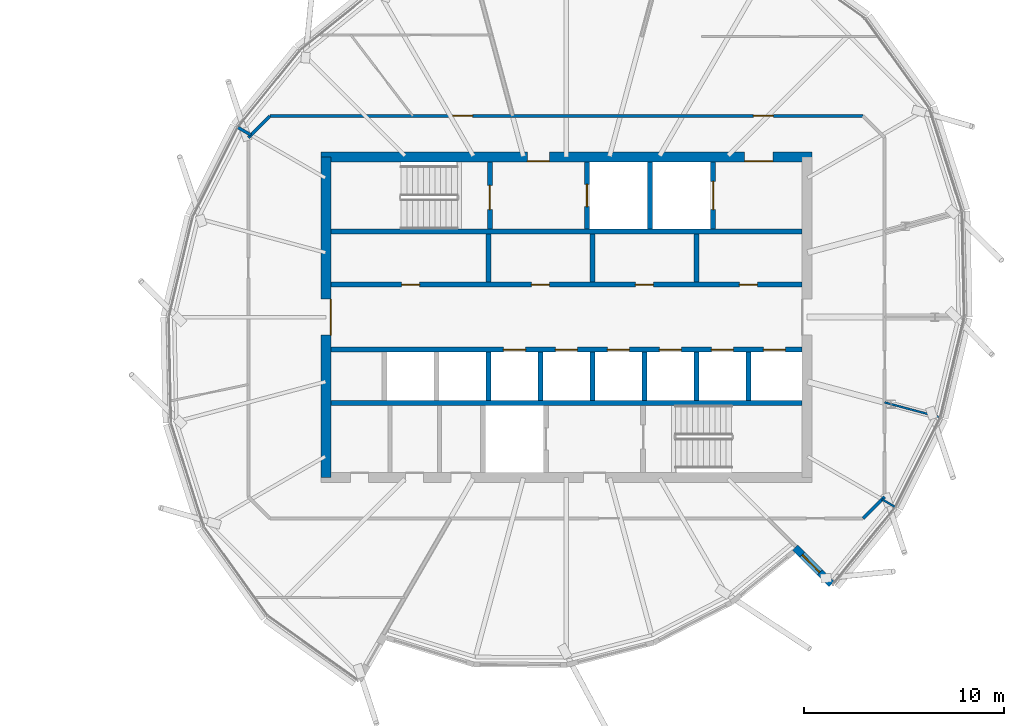
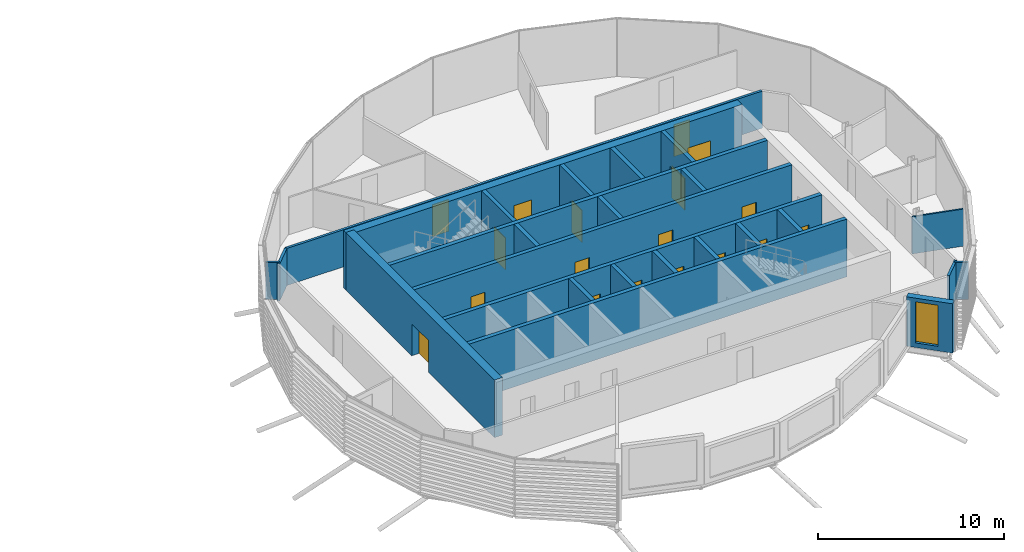
# One storey, part 21 of 38: 26 walls, 18 doors, 1 window, 19 openings.
"""IFC4 building model written with IfcOpenShell, lengths in metres."""

import ifcopenshell
import ifcopenshell.guid

model = None  # the IFC model being written
_history = None  # IfcOwnerHistory: only IFC2X3 demands one
_inside = {}  # id of a spatial element -> (the spatial element, [elements in it])
_under = {}  # id of a project, library or spatial element -> (it, [spatial elements below it])
_declared = {}  # id of a project -> (the project, [libraries it declares])
_typed = {}  # id of a type object -> (the type object, [elements of that type])
_made_of = {}  # id of a material, layer set ... -> (it, [elements and type objects made of it])


def new_model(schema):
    """Start an empty IFC model of exactly this schema.

    Asked for "IFC4X3", IfcOpenShell would pick the latest addendum, in which some entities
    have other attributes; the version numbers below select the first issue.
    IFC2X3 requires an IfcOwnerHistory on every rooted entity: one is made here for all.
    """
    global model, _history
    if schema == "IFC4X3":
        model = ifcopenshell.file(schema_version=(4, 3, 0, 0))
    else:
        model = ifcopenshell.file(schema=schema)
    _inside.clear()
    _under.clear()
    _declared.clear()
    _typed.clear()
    _made_of.clear()
    _history = None
    if model.schema == "IFC2X3":
        org = make("IfcOrganization", Name="unknown")
        user = make(
            "IfcPersonAndOrganization",
            ThePerson=make("IfcPerson", FamilyName="unknown"),
            TheOrganization=org,
        )
        app = make(
            "IfcApplication",
            ApplicationDeveloper=org,
            Version="unknown",
            ApplicationFullName="unknown",
            ApplicationIdentifier="unknown",
        )
        _history = make(
            "IfcOwnerHistory",
            OwningUser=user,
            OwningApplication=app,
            ChangeAction="ADDED",
            CreationDate=0,
        )
    return model


def make(cls, **values):
    """One entity of the class cls with the attributes given. An attribute that is None is left unset."""
    return model.create_entity(
        cls, **{name: value for name, value in values.items() if value is not None}
    )


def rooted(cls, **values):
    """An entity with a GlobalId (a new one), such as an element, a storey or a relation."""
    return make(cls, GlobalId=ifcopenshell.guid.new(), OwnerHistory=_history, **values)


def si_unit(unit_type, name, prefix=None):
    """IfcSIUnit, for example si_unit("LENGTHUNIT", "METRE", prefix="MILLI")."""
    return make("IfcSIUnit", UnitType=unit_type, Prefix=prefix, Name=name)


def assignment(units):
    """IfcUnitAssignment: the units of a project."""
    return None if units is None else make("IfcUnitAssignment", Units=units)


def point(xyz):
    """IfcCartesianPoint."""
    return None if xyz is None else make("IfcCartesianPoint", Coordinates=xyz)


def direction(xyz):
    """IfcDirection."""
    return None if xyz is None else make("IfcDirection", DirectionRatios=xyz)


def frame(location, z_axis=None, x_axis=None):
    """IfcAxis2Placement3D, a coordinate frame: its origin and axes. An axis left out is left unset."""
    return make(
        "IfcAxis2Placement3D",
        Location=point(location),
        Axis=direction(z_axis),
        RefDirection=direction(x_axis),
    )


def frame_2d(location, x_axis=None):
    """IfcAxis2Placement2D, a coordinate frame in the plane: its origin and x axis."""
    return make(
        "IfcAxis2Placement2D", Location=point(location), RefDirection=direction(x_axis)
    )


def origin():
    """The frame at (0, 0, 0) with its axes left unset."""
    return frame((0.0, 0.0, 0.0))


def place(relative_to, where):
    """IfcLocalPlacement: puts the frame where relative to a parent placement (None: the world)."""
    return make(
        "IfcLocalPlacement", PlacementRelTo=relative_to, RelativePlacement=where
    )


def context(
    kind, dimensions, precision=None, world=None, true_north=None, identifier=None
):
    """IfcGeometricRepresentationContext, for example the 3D "Model" context."""
    return make(
        "IfcGeometricRepresentationContext",
        ContextIdentifier=identifier,
        ContextType=kind,
        CoordinateSpaceDimension=dimensions,
        Precision=precision,
        WorldCoordinateSystem=world,
        TrueNorth=true_north,
    )


def subcontext(parent, identifier, kind, view, scale=None):
    """IfcGeometricRepresentationSubContext, for example "Body" below "Model"."""
    return make(
        "IfcGeometricRepresentationSubContext",
        ContextIdentifier=identifier,
        ContextType=kind,
        ParentContext=parent,
        TargetScale=scale,
        TargetView=view,
    )


def project(units=None, contexts=None):
    """IfcProject with its units and contexts."""
    return rooted(
        "IfcProject",
        Name="project",
        RepresentationContexts=contexts,
        UnitsInContext=assignment(units),
    )


def spatial(cls, under=None, at=None, **own):
    """A site, building, storey or space (cls), placed at a placement, below another one or the project."""
    s = rooted(cls, ObjectPlacement=at, **own)
    if under is not None:
        _under.setdefault(under.id(), (under, []))[1].append(s)
    return s


def profile(cls, at=None, kind="AREA", **sizes):
    """A parametric profile (cls). Its sizes go by their IFC names, for example OverallWidth=200.0."""
    return make(cls, ProfileType=kind, Position=at, **sizes)


def rectangle(**sizes):
    """IfcRectangleProfileDef."""
    return profile("IfcRectangleProfileDef", **sizes)


def extrude(swept, where, along, depth):
    """IfcExtrudedAreaSolid: the profile swept, set in the frame where, extruded along a direction by depth."""
    return make(
        "IfcExtrudedAreaSolid",
        SweptArea=swept,
        Position=where,
        ExtrudedDirection=direction(along),
        Depth=depth,
    )


def shape(context_of_items, identifier, shape_type, items):
    """IfcShapeRepresentation: the items that make up one representation, for example the "Body"."""
    return make(
        "IfcShapeRepresentation",
        ContextOfItems=context_of_items,
        RepresentationIdentifier=identifier,
        RepresentationType=shape_type,
        Items=items,
    )


def material(Name=None, Category=None):
    """IfcMaterial."""
    return make("IfcMaterial", Name=Name, Category=Category)


def layer(
    of_material, thickness, ventilated=None, Name=None, Category=None, Priority=None
):
    """IfcMaterialLayer: one layer of a wall or slab, of a material (None: an air gap)."""
    return make(
        "IfcMaterialLayer",
        Material=of_material,
        LayerThickness=thickness,
        IsVentilated=ventilated,
        Name=Name,
        Category=Category,
        Priority=Priority,
    )


def layer_set(layers, Name=None):
    """IfcMaterialLayerSet."""
    return make("IfcMaterialLayerSet", MaterialLayers=layers, LayerSetName=Name)


def made_of(thing, what):
    """Note that an element or type object is made of a material, layer set ...; save() writes the relation."""
    if what is not None:
        _made_of.setdefault(what.id(), (what, []))[1].append(thing)
    return thing


def type_object(cls, material=None, **own):
    """A type object (cls), such as IfcWallType, which elements share."""
    return made_of(rooted(cls, **own), material)


def element(
    cls,
    number,
    at=None,
    inside=None,
    cuts=None,
    type_object=None,
    material=None,
    context=None,
    identifier="Body",
    shape_type=None,
    held_by="IfcProductDefinitionShape",
    body=None,
    shapes=None,
    **own,
):
    """One element of the class cls, such as IfcWall. Its Tag is "e" and its number.

    at: its placement. inside: the storey or other place that contains it. cuts: it is an
    opening in that element (IfcRelVoidsElement). A single representation is given by context,
    identifier, shape_type and body (its items); several are given by shapes. held_by: the class
    of the entity that holds the representations. save() writes the other relations.
    """
    e = rooted(cls, Tag="e%d" % number, ObjectPlacement=at, **own)
    if body is not None:
        shapes = [shape(context, identifier, shape_type, body)]
    if shapes is not None:
        e.Representation = make(held_by, Representations=shapes)
    if inside is not None:
        _inside.setdefault(inside.id(), (inside, []))[1].append(e)
    if cuts is not None:
        rooted(
            "IfcRelVoidsElement", RelatingBuildingElement=cuts, RelatedOpeningElement=e
        )
    if type_object is not None:
        _typed.setdefault(type_object.id(), (type_object, []))[1].append(e)
    return made_of(e, material)


def fill(opening, filler):
    """IfcRelFillsElement: the door or window that sits in an opening."""
    return rooted(
        "IfcRelFillsElement",
        RelatingOpeningElement=opening,
        RelatedBuildingElement=filler,
    )


def aggregate(whole, parts):
    """IfcRelAggregates: a whole, such as a stair, and the parts it consists of."""
    return rooted("IfcRelAggregates", RelatingObject=whole, RelatedObjects=parts)


def save(model, path):
    """Write the relations noted so far, then the file.

    IfcRelAggregates (storeys below a building ...), IfcRelContainedInSpatialStructure (elements
    in a storey), IfcRelDefinesByType, IfcRelAssociatesMaterial and IfcRelDeclares: one each for
    every whole, place, type object, material and project.
    """
    for whole, parts in _under.values():
        aggregate(whole, parts)
    for where, things in _inside.values():
        rooted(
            "IfcRelContainedInSpatialStructure",
            RelatedElements=things,
            RelatingStructure=where,
        )
    for kind, things in _typed.values():
        rooted("IfcRelDefinesByType", RelatedObjects=things, RelatingType=kind)
    for what, things in _made_of.values():
        rooted("IfcRelAssociatesMaterial", RelatedObjects=things, RelatingMaterial=what)
    for by, libraries in _declared.values():
        rooted("IfcRelDeclares", RelatingContext=by, RelatedDefinitions=libraries)
    model.write(path)


model = new_model("IFC4")

# Units and contexts
model_context = context("Model", 3, precision=1e-05, world=origin(), true_north=direction((0.0, 1.0)))
body_context = subcontext(model_context, "Body", "Model", "MODEL_VIEW")
ifc_project = project(units=[si_unit("LENGTHUNIT", "METRE"), si_unit("AREAUNIT", "SQUARE_METRE"), si_unit("VOLUMEUNIT", "CUBIC_METRE"), si_unit("PLANEANGLEUNIT", "RADIAN"), si_unit("MASSUNIT", "GRAM", prefix="KILO")], contexts=[model_context])

# Site, building, storey
site_placement = place(None, origin())
site = spatial("IfcSite", under=ifc_project, at=site_placement, CompositionType="ELEMENT")
building_placement = place(site_placement, origin())
building = spatial("IfcBuilding", under=site, at=building_placement, Name="Rimbun Link Towers", CompositionType="ELEMENT")
storey_placement = place(building_placement, frame((0.0, 0.0, 218.10009765625)))
storey = spatial("IfcBuildingStorey", under=building, at=storey_placement, Name="L53", CompositionType="ELEMENT", Elevation=218.10009765625)

# Wall, opening, window
ifc_material_1 = material(Name="Dark enamelled glass spandrel on insulated aluminium backpan", Category="aluminium")
ifc_layer_1 = layer(ifc_material_1, 0.3701171875)
ifc_layer_set_1 = layer_set([ifc_layer_1], Name="CS dark enamelled spandrel wall 370")
wall_type_1 = type_object("IfcWallType", Name="CS dark enamelled spandrel wall 370", PredefinedType="STANDARD", material=ifc_layer_set_1)
wall_1_placement = place(storey_placement, frame((44.986083984375, -13.328125, 0.0), z_axis=(0.0, 0.0, 1.0), x_axis=(-0.707059465667, 0.70715409354, 0.0)))
wall_1 = element("IfcWall", 1, at=wall_1_placement, inside=storey, type_object=wall_type_1, Name="Crease spandrel wall", PredefinedType="STANDARD", context=body_context, shape_type="SweptSolid", body=[
    extrude(rectangle(XDim=2.580078125, YDim=0.3701171875, at=frame_2d((1.2900390625, 0.0))), origin(), (0.0, 0.0, 1.0), 3.243408203125),
])
opening_1_placement = place(wall_1_placement, frame((0.828857421875, 0.0, 0.300048828125)))
opening_1 = element("IfcOpeningElement", 2, at=opening_1_placement, cuts=wall_1, Name="Opening WR12H270", PredefinedType="OPENING", context=body_context, shape_type="SweptSolid", body=[
    extrude(rectangle(XDim=1.25, YDim=2.699951171875, at=frame_2d((0.625, 1.35009765625))), frame((0.0, 0.195068359375, 0.0), z_axis=(0.0, -1.0, 0.0), x_axis=(1.0, 0.0, 0.0)), (0.0, 0.0, 1.0), 0.39013671875),
])
ifc_material_2 = material(Name="Aluminium framed fixed window, dark tinted low-e glass", Category="aluminium")
window_type = type_object("IfcWindowType", Name="WR ribbon window 1250X2700", PartitioningType="SINGLE_PANEL", PredefinedType="WINDOW", material=ifc_material_2)
window_placement = place(opening_1_placement, origin())
window = element("IfcWindow", 3, at=window_placement, inside=storey, type_object=window_type, Name="Crease ribbon window", OverallHeight=2.699951171875, OverallWidth=1.25, PartitioningType="SINGLE_PANEL", PredefinedType="WINDOW", context=body_context, shape_type="SweptSolid", body=[
    extrude(rectangle(XDim=1.25, YDim=2.699951171875, at=frame_2d((0.625, 1.35009765625))), frame((0.0, 0.030029296875, 0.0), z_axis=(0.0, -1.0, 0.0), x_axis=(1.0, 0.0, 0.0)), (0.0, 0.0, 1.0), 0.06005859375),
])
fill(opening_1, window)

# Wall, openings, doors
ifc_material_3 = material(Name="Concrete C60/75", Category="concrete")
ifc_layer_2 = layer(ifc_material_3, 0.5)
ifc_layer_set_2 = layer_set([ifc_layer_2], Name="Core shear wall 500")
wall_type_2 = type_object("IfcWallType", Name="Core shear wall 500", PredefinedType="SHEAR", material=ifc_layer_set_2)
wall_2_placement = place(storey_placement, frame((19.5, 8.0, 0.0), z_axis=(0.0, 0.0, 1.0), x_axis=(1.0, 0.0, 0.0)))
wall_2 = element("IfcWall", 4, at=wall_2_placement, inside=storey, type_object=wall_type_2, Name="L53 T2 core wall N", PredefinedType="SHEAR", context=body_context, shape_type="SweptSolid", body=[
    extrude(rectangle(XDim=24.5, YDim=0.5, at=frame_2d((12.25, 0.0))), origin(), (0.0, 0.0, 1.0), 3.7998046875),
])
opening_2_placement = place(wall_2_placement, frame((10.300048828125, 0.0, 0.0)))
opening_2 = element("IfcOpeningElement", 5, at=opening_2_placement, cuts=wall_2, Name="Opening C2DCF01N", PredefinedType="OPENING", context=body_context, shape_type="SweptSolid", body=[
    extrude(rectangle(XDim=1.10009765625, YDim=2.10009765625, at=frame_2d((0.550048828125, 1.050048828125))), frame((0.0, 0.260009765625, 0.0), z_axis=(0.0, -1.0, 0.0), x_axis=(1.0, 0.0, 0.0)), (0.0, 0.0, 1.0), 0.52001953125),
])
opening_3_placement = place(wall_2_placement, frame((21.14990234375, 0.0, 0.0)))
opening_3 = element("IfcOpeningElement", 6, at=opening_3_placement, cuts=wall_2, Name="Opening C2DSL02N", PredefinedType="OPENING", context=body_context, shape_type="SweptSolid", body=[
    extrude(rectangle(XDim=1.39990234375, YDim=2.10009765625, at=frame_2d((0.699951171875, 1.050048828125))), frame((0.0, 0.260009765625, 0.0), z_axis=(0.0, -1.0, 0.0), x_axis=(1.0, 0.0, 0.0)), (0.0, 0.0, 1.0), 0.52001953125),
])
ifc_material_4 = material(Name="Steel fire door set", Category="steel")
door_type_1 = type_object("IfcDoorType", Name="Core fire door single", OperationType="SINGLE_SWING_LEFT", PredefinedType="DOOR", material=ifc_material_4)
door_1_placement = place(opening_2_placement, origin())
door_1 = element("IfcDoor", 7, at=door_1_placement, inside=storey, type_object=door_type_1, Name="L53 T2 firefighting lobby n door", OperationType="SINGLE_SWING_LEFT", OverallHeight=2.10009765625, OverallWidth=1.10009765625, PredefinedType="DOOR", context=body_context, shape_type="SweptSolid", body=[
    extrude(rectangle(XDim=1.10009765625, YDim=2.10009765625, at=frame_2d((0.550048828125, 1.050048828125))), frame((0.0, -0.2001953125, 0.0), z_axis=(0.0, -1.0, 0.0), x_axis=(1.0, 0.0, 0.0)), (0.0, 0.0, 1.0), 0.050048828125),
])
fill(opening_2, door_1)
ifc_material_5 = material(Name="Steel fire door set", Category="steel")
door_type_2 = type_object("IfcDoorType", Name="Service lobby door double", OperationType="DOUBLE_DOOR_SINGLE_SWING", PredefinedType="DOOR", material=ifc_material_5)
door_2_placement = place(opening_3_placement, origin())
door_2 = element("IfcDoor", 8, at=door_2_placement, inside=storey, type_object=door_type_2, Name="L53 T2 service lobby door", OperationType="DOUBLE_DOOR_SINGLE_SWING", OverallHeight=2.10009765625, OverallWidth=1.39990234375, PredefinedType="DOOR", context=body_context, shape_type="SweptSolid", body=[
    extrude(rectangle(XDim=1.39990234375, YDim=2.10009765625, at=frame_2d((0.699951171875, 1.050048828125))), frame((0.0, -0.2001953125, 0.0), z_axis=(0.0, -1.0, 0.0), x_axis=(1.0, 0.0, 0.0)), (0.0, 0.0, 1.0), 0.050048828125),
])
fill(opening_3, door_2)

# Wall, opening, door
wall_3_placement = place(storey_placement, frame((19.75, -8.0, 0.0), z_axis=(0.0, 0.0, 1.0), x_axis=(0.0, 1.0, 0.0)))
wall_3 = element("IfcWall", 9, at=wall_3_placement, inside=storey, type_object=wall_type_2, Name="L53 T2 core wall W", PredefinedType="SHEAR", context=body_context, shape_type="SweptSolid", body=[
    extrude(rectangle(XDim=16.0, YDim=0.5, at=frame_2d((8.0, 0.0))), origin(), (0.0, 0.0, 1.0), 3.7998046875),
])
opening_4_placement = place(wall_3_placement, frame((7.10009765625, 0.0, 0.0)))
opening_4 = element("IfcOpeningElement", 10, at=opening_4_placement, cuts=wall_3, Name="Opening C2DCL01W", PredefinedType="OPENING", context=body_context, shape_type="SweptSolid", body=[
    extrude(rectangle(XDim=1.800048828125, YDim=2.10009765625, at=frame_2d((0.89990234375, 1.050048828125))), frame((0.0, 0.260009765625, 0.0), z_axis=(0.0, -1.0, 0.0), x_axis=(1.0, 0.0, 0.0)), (0.0, 0.0, 1.0), 0.52001953125),
])
ifc_material_6 = material(Name="Steel fire door set", Category="steel")
door_type_3 = type_object("IfcDoorType", Name="Core lobby door double", OperationType="DOUBLE_DOOR_SINGLE_SWING", PredefinedType="DOOR", material=ifc_material_6)
door_3_placement = place(opening_4_placement, origin())
door_3 = element("IfcDoor", 11, at=door_3_placement, inside=storey, type_object=door_type_3, Name="L53 T2 lift lobby door", OperationType="DOUBLE_DOOR_SINGLE_SWING", OverallHeight=2.10009765625, OverallWidth=1.800048828125, PredefinedType="DOOR", context=body_context, shape_type="SweptSolid", body=[
    extrude(rectangle(XDim=1.800048828125, YDim=2.10009765625, at=frame_2d((0.89990234375, 1.050048828125))), frame((0.0, -0.2001953125, 0.0), z_axis=(0.0, -1.0, 0.0), x_axis=(1.0, 0.0, 0.0)), (0.0, 0.0, 1.0), 0.050048828125),
])
fill(opening_4, door_3)

# Wall, openings, doors
ifc_material_7 = material(Name="Plasterboard on steel stud, mineral wool", Category="steel")
ifc_layer_3 = layer(ifc_material_7, 0.14990234375)
ifc_layer_set_3 = layer_set([ifc_layer_3], Name="Corridor wall EI 30 150 mm")
wall_type_3 = type_object("IfcWallType", Name="Corridor wall EI 30 150 mm", PredefinedType="PARTITIONING", material=ifc_layer_set_3)
wall_4_placement = place(storey_placement, frame((16.9462890625, 10.044921875, 0.0), z_axis=(0.0, 0.0, 1.0), x_axis=(1.0, 0.0, 0.0)))
wall_4 = element("IfcWall", 12, at=wall_4_placement, inside=storey, type_object=wall_type_3, Name="Corridor wall EI 30 150 mm", PredefinedType="PARTITIONING", context=body_context, shape_type="SweptSolid", body=[
    extrude(rectangle(XDim=29.607421875, YDim=0.14990234375, at=frame_2d((14.8037109375, 0.0))), origin(), (0.0, 0.0, 1.0), 2.43994140625),
])
opening_5_placement = place(wall_4_placement, frame((24.131103515625, 0.0, 0.0)))
opening_5 = element("IfcOpeningElement", 13, at=opening_5_placement, cuts=wall_4, Name="Opening D01", PredefinedType="OPENING", context=body_context, shape_type="SweptSolid", body=[
    extrude(rectangle(XDim=1.0, YDim=2.10009765625, at=frame_2d((0.5, 1.050048828125))), frame((0.0, 0.0849609375, 0.0), z_axis=(0.0, -1.0, 0.0), x_axis=(1.0, 0.0, 0.0)), (0.0, 0.0, 1.0), 0.169921875),
])
opening_6_placement = place(wall_4_placement, frame((9.12060546875, 0.0, 0.0)))
opening_6 = element("IfcOpeningElement", 14, at=opening_6_placement, cuts=wall_4, Name="Opening D01", PredefinedType="OPENING", context=body_context, shape_type="SweptSolid", body=[
    extrude(rectangle(XDim=1.0, YDim=2.10009765625, at=frame_2d((0.5, 1.050048828125))), frame((0.0, 0.0849609375, 0.0), z_axis=(0.0, -1.0, 0.0), x_axis=(1.0, 0.0, 0.0)), (0.0, 0.0, 1.0), 0.169921875),
])
ifc_material_8 = material(Name="Fire-resisting timber door leaf", Category="wood")
door_type_4 = type_object("IfcDoorType", Name="Fire door FD30S 1000", OperationType="NOTDEFINED", PredefinedType="DOOR", material=ifc_material_8)
door_4_placement = place(opening_5_placement, origin())
door_4 = element("IfcDoor", 15, at=door_4_placement, inside=storey, type_object=door_type_4, Name="Fire door FD30S 1000 to Reception", OperationType="SINGLE_SWING_LEFT", OverallHeight=2.10009765625, OverallWidth=1.0, PredefinedType="DOOR", context=body_context, shape_type="SweptSolid", body=[
    extrude(rectangle(XDim=1.0, YDim=2.10009765625, at=frame_2d((0.5, 1.050048828125))), frame((0.0, 0.02490234375, 0.0), z_axis=(0.0, -1.0, 0.0), x_axis=(1.0, 0.0, 0.0)), (0.0, 0.0, 1.0), 0.050048828125),
])
fill(opening_5, door_4)
door_5_placement = place(opening_6_placement, origin())
door_5 = element("IfcDoor", 16, at=door_5_placement, inside=storey, type_object=door_type_4, Name="Fire door FD30S 1000 to Reception", OperationType="SINGLE_SWING_RIGHT", OverallHeight=2.10009765625, OverallWidth=1.0, PredefinedType="DOOR", context=body_context, shape_type="SweptSolid", body=[
    extrude(rectangle(XDim=1.0, YDim=2.10009765625, at=frame_2d((0.5, 1.050048828125))), frame((0.0, 0.02490234375, 0.0), z_axis=(0.0, -1.0, 0.0), x_axis=(1.0, 0.0, 0.0)), (0.0, 0.0, 1.0), 0.050048828125),
])
fill(opening_6, door_5)

# Walls
for number, where, z_axis, x_axis, name in (
    (17, (46.5537109375, -10.044921875, 0.0), (0.0, 0.0, 1.0), (0.707106781187, 0.707106781187, 0.0), "Corridor wall EI 30 150 mm"),
    (18, (16.9462890625, 10.044921875, 0.0), (0.0, 0.0, 1.0), (-0.707106781187, -0.707106781187, 0.0), "Corridor wall EI 30 150 mm"),
):
    element("IfcWall", number, at=place(storey_placement, frame(where, z_axis=z_axis, x_axis=x_axis)), inside=storey, type_object=wall_type_3, Name=name, PredefinedType="PARTITIONING", context=body_context, shape_type="SweptSolid", body=[
        extrude(rectangle(XDim=1.529296875, YDim=0.14990234375, at=frame_2d((0.7646484375, 0.0))), origin(), (0.0, 0.0, 1.0), 2.43994140625),
    ])
ifc_material_9 = material(Name="Plasterboard on steel stud", Category="steel")
ifc_layer_4 = layer(ifc_material_9, 0.10009765625)
ifc_layer_set_4 = layer_set([ifc_layer_4], Name="Plasterboard partition 100 mm")
wall_type_4 = type_object("IfcWallType", Name="Plasterboard partition 100 mm", PredefinedType="PARTITIONING", material=ifc_layer_set_4)
wall_5_placement = place(storey_placement, frame((48.146240234375, -9.46630859375, 0.0), z_axis=(0.0, 0.0, 1.0), x_axis=(-0.866048655292, 0.499959725045, 0.0)))
element("IfcWall", 19, at=wall_5_placement, inside=storey, type_object=wall_type_4, Name="Plasterboard partition 100 mm", PredefinedType="PARTITIONING", context=body_context, shape_type="SweptSolid", body=[
    extrude(rectangle(XDim=0.7421875, YDim=0.10009765625, at=frame_2d((0.37109375, 0.0))), origin(), (0.0, 0.0, 1.0), 2.43994140625),
])
wall_6_placement = place(storey_placement, frame((50.3916015625, -4.9951171875, 0.0), z_axis=(0.0, 0.0, 1.0), x_axis=(-0.96591329959, 0.258865790856, 0.0)))
element("IfcWall", 20, at=wall_6_placement, inside=storey, type_object=wall_type_4, Name="Plasterboard partition 100 mm", PredefinedType="PARTITIONING", context=body_context, shape_type="SweptSolid", body=[
    extrude(rectangle(XDim=2.853759765625, YDim=0.10009765625, at=frame_2d((1.4267578125, 0.0))), origin(), (0.0, 0.0, 1.0), 2.43994140625),
])
ifc_material_10 = material(Name="Concrete C60/75", Category="concrete")
ifc_layer_5 = layer(ifc_material_10, 0.25)
ifc_layer_set_5 = layer_set([ifc_layer_5], Name="Shaft wall 250")
wall_type_5 = type_object("IfcWallType", Name="Shaft wall 250", PredefinedType="SHEAR", material=ifc_layer_set_5)
for number, where, z_axis, x_axis, name in (
    (21, (20.0, 4.27490234375, 0.0), (0.0, 0.0, 1.0), (1.0, 0.0, 0.0), "L53 T2 core wall BN"),
    (22, (20.0, -4.27490234375, 0.0), (0.0, 0.0, 1.0), (1.0, 0.0, 0.0), "L53 T2 core wall BS"),
):
    element("IfcWall", number, at=place(storey_placement, frame(where, z_axis=z_axis, x_axis=x_axis)), inside=storey, type_object=wall_type_5, Name=name, PredefinedType="SHEAR", context=body_context, shape_type="SweptSolid", body=[
        extrude(rectangle(XDim=23.5, YDim=0.25, at=frame_2d((11.75, 0.0))), origin(), (0.0, 0.0, 1.0), 3.7998046875),
    ])

# Wall, openings, doors
wall_7_placement = place(storey_placement, frame((20.0, 1.625, 0.0), z_axis=(0.0, 0.0, 1.0), x_axis=(1.0, 0.0, 0.0)))
wall_7 = element("IfcWall", 23, at=wall_7_placement, inside=storey, type_object=wall_type_5, Name="L53 T2 core wall FN", PredefinedType="SHEAR", context=body_context, shape_type="SweptSolid", body=[
    extrude(rectangle(XDim=23.5, YDim=0.25, at=frame_2d((11.75, 0.0))), origin(), (0.0, 0.0, 1.0), 3.7998046875),
])
opening_7_placement = place(wall_7_placement, frame((3.5166015625, 0.0, 0.0)))
opening_7 = element("IfcOpeningElement", 24, at=opening_7_placement, cuts=wall_7, Name="Opening C2DRS01FN", PredefinedType="OPENING", context=body_context, shape_type="SweptSolid", body=[
    extrude(rectangle(XDim=0.89990234375, YDim=2.10009765625, at=frame_2d((0.449951171875, 1.050048828125))), frame((0.0, 0.135009765625, 0.0), z_axis=(0.0, -1.0, 0.0), x_axis=(1.0, 0.0, 0.0)), (0.0, 0.0, 1.0), 0.27001953125),
])
opening_8_placement = place(wall_7_placement, frame((10.002685546875, 0.0, 0.0)))
opening_8 = element("IfcOpeningElement", 25, at=opening_8_placement, cuts=wall_7, Name="Opening C2DRS02FN", PredefinedType="OPENING", context=body_context, shape_type="SweptSolid", body=[
    extrude(rectangle(XDim=0.89990234375, YDim=2.10009765625, at=frame_2d((0.449951171875, 1.050048828125))), frame((0.0, 0.135009765625, 0.0), z_axis=(0.0, -1.0, 0.0), x_axis=(1.0, 0.0, 0.0)), (0.0, 0.0, 1.0), 0.27001953125),
])
opening_9_placement = place(wall_7_placement, frame((15.191650390625, 0.0, 0.0)))
opening_9 = element("IfcOpeningElement", 26, at=opening_9_placement, cuts=wall_7, Name="Opening C2DRS03FN", PredefinedType="OPENING", context=body_context, shape_type="SweptSolid", body=[
    extrude(rectangle(XDim=0.89990234375, YDim=2.10009765625, at=frame_2d((0.449951171875, 1.050048828125))), frame((0.0, 0.135009765625, 0.0), z_axis=(0.0, -1.0, 0.0), x_axis=(1.0, 0.0, 0.0)), (0.0, 0.0, 1.0), 0.27001953125),
])
opening_10_placement = place(wall_7_placement, frame((20.380615234375, 0.0, 0.0)))
opening_10 = element("IfcOpeningElement", 27, at=opening_10_placement, cuts=wall_7, Name="Opening C2DRS04FN", PredefinedType="OPENING", context=body_context, shape_type="SweptSolid", body=[
    extrude(rectangle(XDim=0.89990234375, YDim=2.10009765625, at=frame_2d((0.449951171875, 1.050048828125))), frame((0.0, 0.135009765625, 0.0), z_axis=(0.0, -1.0, 0.0), x_axis=(1.0, 0.0, 0.0)), (0.0, 0.0, 1.0), 0.27001953125),
])
ifc_material_11 = material(Name="Steel fire door set", Category="steel")
door_type_5 = type_object("IfcDoorType", Name="Core riser door", OperationType="SINGLE_SWING_LEFT", PredefinedType="DOOR", material=ifc_material_11)
door_6_placement = place(opening_7_placement, origin())
door_6 = element("IfcDoor", 28, at=door_6_placement, inside=storey, type_object=door_type_5, Name="L53 T2 training store door", OperationType="SINGLE_SWING_LEFT", OverallHeight=2.10009765625, OverallWidth=0.89990234375, PredefinedType="DOOR", context=body_context, shape_type="SweptSolid", body=[
    extrude(rectangle(XDim=0.89990234375, YDim=2.10009765625, at=frame_2d((0.449951171875, 1.050048828125))), frame((0.0, 0.02490234375, 0.0), z_axis=(0.0, -1.0, 0.0), x_axis=(1.0, 0.0, 0.0)), (0.0, 0.0, 1.0), 0.050048828125),
])
fill(opening_7, door_6)
door_7_placement = place(opening_8_placement, origin())
door_7 = element("IfcDoor", 29, at=door_7_placement, inside=storey, type_object=door_type_5, Name="L53 T2 print room door", OperationType="SINGLE_SWING_LEFT", OverallHeight=2.10009765625, OverallWidth=0.89990234375, PredefinedType="DOOR", context=body_context, shape_type="SweptSolid", body=[
    extrude(rectangle(XDim=0.89990234375, YDim=2.10009765625, at=frame_2d((0.449951171875, 1.050048828125))), frame((0.0, 0.02490234375, 0.0), z_axis=(0.0, -1.0, 0.0), x_axis=(1.0, 0.0, 0.0)), (0.0, 0.0, 1.0), 0.050048828125),
])
fill(opening_8, door_7)
door_8_placement = place(opening_9_placement, origin())
door_8 = element("IfcDoor", 30, at=door_8_placement, inside=storey, type_object=door_type_5, Name="L53 T2 staff lounge door", OperationType="SINGLE_SWING_LEFT", OverallHeight=2.10009765625, OverallWidth=0.89990234375, PredefinedType="DOOR", context=body_context, shape_type="SweptSolid", body=[
    extrude(rectangle(XDim=0.89990234375, YDim=2.10009765625, at=frame_2d((0.449951171875, 1.050048828125))), frame((0.0, 0.02490234375, 0.0), z_axis=(0.0, -1.0, 0.0), x_axis=(1.0, 0.0, 0.0)), (0.0, 0.0, 1.0), 0.050048828125),
])
fill(opening_9, door_8)
door_9_placement = place(opening_10_placement, origin())
door_9 = element("IfcDoor", 31, at=door_9_placement, inside=storey, type_object=door_type_5, Name="L53 T2 phone room door", OperationType="SINGLE_SWING_RIGHT", OverallHeight=2.10009765625, OverallWidth=0.89990234375, PredefinedType="DOOR", context=body_context, shape_type="SweptSolid", body=[
    extrude(rectangle(XDim=0.89990234375, YDim=2.10009765625, at=frame_2d((0.449951171875, 1.050048828125))), frame((0.0, 0.02490234375, 0.0), z_axis=(0.0, -1.0, 0.0), x_axis=(1.0, 0.0, 0.0)), (0.0, 0.0, 1.0), 0.050048828125),
])
fill(opening_10, door_9)

wall_8_placement = place(storey_placement, frame((20.0, -1.625, 0.0), z_axis=(0.0, 0.0, 1.0), x_axis=(1.0, 0.0, 0.0)))
wall_8 = element("IfcWall", 32, at=wall_8_placement, inside=storey, type_object=wall_type_5, Name="L53 T2 core wall FS", PredefinedType="SHEAR", context=body_context, shape_type="SweptSolid", body=[
    extrude(rectangle(XDim=23.5, YDim=0.25, at=frame_2d((11.75, 0.0))), origin(), (0.0, 0.0, 1.0), 3.7998046875),
])
opening_11_placement = place(wall_8_placement, frame((8.605712890625, 0.0, 0.0)))
opening_11 = element("IfcOpeningElement", 33, at=opening_11_placement, cuts=wall_8, Name="Opening LD-T2-HR1", PredefinedType="OPENING", context=body_context, shape_type="SweptSolid", body=[
    extrude(rectangle(XDim=1.10009765625, YDim=2.10009765625, at=frame_2d((0.550048828125, 1.050048828125))), frame((0.0, 0.135009765625, 0.0), z_axis=(0.0, -1.0, 0.0), x_axis=(1.0, 0.0, 0.0)), (0.0, 0.0, 1.0), 0.27001953125),
])
opening_12_placement = place(wall_8_placement, frame((11.199951171875, 0.0, 0.0)))
opening_12 = element("IfcOpeningElement", 34, at=opening_12_placement, cuts=wall_8, Name="Opening LD-T2-HR2", PredefinedType="OPENING", context=body_context, shape_type="SweptSolid", body=[
    extrude(rectangle(XDim=1.10009765625, YDim=2.10009765625, at=frame_2d((0.550048828125, 1.050048828125))), frame((0.0, 0.135009765625, 0.0), z_axis=(0.0, -1.0, 0.0), x_axis=(1.0, 0.0, 0.0)), (0.0, 0.0, 1.0), 0.27001953125),
])
opening_13_placement = place(wall_8_placement, frame((13.79443359375, 0.0, 0.0)))
opening_13 = element("IfcOpeningElement", 35, at=opening_13_placement, cuts=wall_8, Name="Opening LD-T2-HR3", PredefinedType="OPENING", context=body_context, shape_type="SweptSolid", body=[
    extrude(rectangle(XDim=1.10009765625, YDim=2.10009765625, at=frame_2d((0.550048828125, 1.050048828125))), frame((0.0, 0.135009765625, 0.0), z_axis=(0.0, -1.0, 0.0), x_axis=(1.0, 0.0, 0.0)), (0.0, 0.0, 1.0), 0.27001953125),
])
opening_14_placement = place(wall_8_placement, frame((16.388916015625, 0.0, 0.0)))
opening_14 = element("IfcOpeningElement", 36, at=opening_14_placement, cuts=wall_8, Name="Opening LD-T2-HR4", PredefinedType="OPENING", context=body_context, shape_type="SweptSolid", body=[
    extrude(rectangle(XDim=1.10009765625, YDim=2.10009765625, at=frame_2d((0.550048828125, 1.050048828125))), frame((0.0, 0.135009765625, 0.0), z_axis=(0.0, -1.0, 0.0), x_axis=(1.0, 0.0, 0.0)), (0.0, 0.0, 1.0), 0.27001953125),
])
opening_15_placement = place(wall_8_placement, frame((18.9833984375, 0.0, 0.0)))
opening_15 = element("IfcOpeningElement", 37, at=opening_15_placement, cuts=wall_8, Name="Opening LD-T2-HR5", PredefinedType="OPENING", context=body_context, shape_type="SweptSolid", body=[
    extrude(rectangle(XDim=1.10009765625, YDim=2.10009765625, at=frame_2d((0.550048828125, 1.050048828125))), frame((0.0, 0.135009765625, 0.0), z_axis=(0.0, -1.0, 0.0), x_axis=(1.0, 0.0, 0.0)), (0.0, 0.0, 1.0), 0.27001953125),
])
opening_16_placement = place(wall_8_placement, frame((21.577880859375, 0.0, 0.0)))
opening_16 = element("IfcOpeningElement", 38, at=opening_16_placement, cuts=wall_8, Name="Opening LD-T2-HR6", PredefinedType="OPENING", context=body_context, shape_type="SweptSolid", body=[
    extrude(rectangle(XDim=1.10009765625, YDim=2.10009765625, at=frame_2d((0.550048828125, 1.050048828125))), frame((0.0, 0.135009765625, 0.0), z_axis=(0.0, -1.0, 0.0), x_axis=(1.0, 0.0, 0.0)), (0.0, 0.0, 1.0), 0.27001953125),
])
ifc_material_12 = material(Name="Stainless steel grade 316", Category="steel")
door_type_6 = type_object("IfcDoorType", Name="Lift landing door", OperationType="DOUBLE_DOOR_SLIDING", PredefinedType="DOOR", material=ifc_material_12)
door_10_placement = place(opening_11_placement, origin())
door_10 = element("IfcDoor", 39, at=door_10_placement, inside=storey, type_object=door_type_6, Name="L53 T2 lift HR1 landing door", OperationType="DOUBLE_DOOR_SLIDING", OverallHeight=2.10009765625, OverallWidth=1.10009765625, PredefinedType="DOOR", context=body_context, shape_type="SweptSolid", body=[
    extrude(rectangle(XDim=1.10009765625, YDim=2.10009765625, at=frame_2d((0.550048828125, 1.050048828125))), frame((0.0, 0.02490234375, 0.0), z_axis=(0.0, -1.0, 0.0), x_axis=(1.0, 0.0, 0.0)), (0.0, 0.0, 1.0), 0.050048828125),
])
fill(opening_11, door_10)
door_11_placement = place(opening_12_placement, origin())
door_11 = element("IfcDoor", 40, at=door_11_placement, inside=storey, type_object=door_type_6, Name="L53 T2 lift HR2 landing door", OperationType="DOUBLE_DOOR_SLIDING", OverallHeight=2.10009765625, OverallWidth=1.10009765625, PredefinedType="DOOR", context=body_context, shape_type="SweptSolid", body=[
    extrude(rectangle(XDim=1.10009765625, YDim=2.10009765625, at=frame_2d((0.550048828125, 1.050048828125))), frame((0.0, 0.02490234375, 0.0), z_axis=(0.0, -1.0, 0.0), x_axis=(1.0, 0.0, 0.0)), (0.0, 0.0, 1.0), 0.050048828125),
])
fill(opening_12, door_11)
door_12_placement = place(opening_13_placement, origin())
door_12 = element("IfcDoor", 41, at=door_12_placement, inside=storey, type_object=door_type_6, Name="L53 T2 lift HR3 landing door", OperationType="DOUBLE_DOOR_SLIDING", OverallHeight=2.10009765625, OverallWidth=1.10009765625, PredefinedType="DOOR", context=body_context, shape_type="SweptSolid", body=[
    extrude(rectangle(XDim=1.10009765625, YDim=2.10009765625, at=frame_2d((0.550048828125, 1.050048828125))), frame((0.0, 0.02490234375, 0.0), z_axis=(0.0, -1.0, 0.0), x_axis=(1.0, 0.0, 0.0)), (0.0, 0.0, 1.0), 0.050048828125),
])
fill(opening_13, door_12)
door_13_placement = place(opening_14_placement, origin())
door_13 = element("IfcDoor", 42, at=door_13_placement, inside=storey, type_object=door_type_6, Name="L53 T2 lift HR4 landing door", OperationType="DOUBLE_DOOR_SLIDING", OverallHeight=2.10009765625, OverallWidth=1.10009765625, PredefinedType="DOOR", context=body_context, shape_type="SweptSolid", body=[
    extrude(rectangle(XDim=1.10009765625, YDim=2.10009765625, at=frame_2d((0.550048828125, 1.050048828125))), frame((0.0, 0.02490234375, 0.0), z_axis=(0.0, -1.0, 0.0), x_axis=(1.0, 0.0, 0.0)), (0.0, 0.0, 1.0), 0.050048828125),
])
fill(opening_14, door_13)
door_14_placement = place(opening_15_placement, origin())
door_14 = element("IfcDoor", 43, at=door_14_placement, inside=storey, type_object=door_type_6, Name="L53 T2 lift HR5 landing door", OperationType="DOUBLE_DOOR_SLIDING", OverallHeight=2.10009765625, OverallWidth=1.10009765625, PredefinedType="DOOR", context=body_context, shape_type="SweptSolid", body=[
    extrude(rectangle(XDim=1.10009765625, YDim=2.10009765625, at=frame_2d((0.550048828125, 1.050048828125))), frame((0.0, 0.02490234375, 0.0), z_axis=(0.0, -1.0, 0.0), x_axis=(1.0, 0.0, 0.0)), (0.0, 0.0, 1.0), 0.050048828125),
])
fill(opening_15, door_14)
door_15_placement = place(opening_16_placement, origin())
door_15 = element("IfcDoor", 44, at=door_15_placement, inside=storey, type_object=door_type_6, Name="L53 T2 lift HR6 landing door", OperationType="DOUBLE_DOOR_SLIDING", OverallHeight=2.10009765625, OverallWidth=1.10009765625, PredefinedType="DOOR", context=body_context, shape_type="SweptSolid", body=[
    extrude(rectangle(XDim=1.10009765625, YDim=2.10009765625, at=frame_2d((0.550048828125, 1.050048828125))), frame((0.0, 0.02490234375, 0.0), z_axis=(0.0, -1.0, 0.0), x_axis=(1.0, 0.0, 0.0)), (0.0, 0.0, 1.0), 0.050048828125),
])
fill(opening_16, door_15)

# Walls
for number, where, z_axis, x_axis, name in (
    (45, (27.8583984375, 1.75, 0.0), (0.0, 0.0, 1.0), (0.0, 1.0, 0.0), "L53 T2 core wall DN2"),
    (46, (33.047119140625, 1.75, 0.0), (0.0, 0.0, 1.0), (0.0, 1.0, 0.0), "L53 T2 core wall DN4"),
    (47, (38.236083984375, 1.75, 0.0), (0.0, 0.0, 1.0), (0.0, 1.0, 0.0), "L53 T2 core wall DN6"),
    (48, (27.8583984375, -4.14990234375, 0.0), (0.0, 0.0, 1.0), (0.0, 1.0, 0.0), "L53 T2 core wall DS2"),
    (49, (30.452880859375, -4.14990234375, 0.0), (0.0, 0.0, 1.0), (0.0, 1.0, 0.0), "L53 T2 core wall DS3"),
    (50, (33.047119140625, -4.14990234375, 0.0), (0.0, 0.0, 1.0), (0.0, 1.0, 0.0), "L53 T2 core wall DS4"),
    (51, (35.6416015625, -4.14990234375, 0.0), (0.0, 0.0, 1.0), (0.0, 1.0, 0.0), "L53 T2 core wall DS5"),
    (52, (38.236083984375, -4.14990234375, 0.0), (0.0, 0.0, 1.0), (0.0, 1.0, 0.0), "L53 T2 core wall DS6"),
    (53, (40.83056640625, -4.14990234375, 0.0), (0.0, 0.0, 1.0), (0.0, 1.0, 0.0), "L53 T2 core wall DS7"),
):
    element("IfcWall", number, at=place(storey_placement, frame(where, z_axis=z_axis, x_axis=x_axis)), inside=storey, type_object=wall_type_5, Name=name, PredefinedType="SHEAR", context=body_context, shape_type="SweptSolid", body=[
        extrude(rectangle(XDim=2.39990234375, YDim=0.25, at=frame_2d((1.199951171875, 0.0))), origin(), (0.0, 0.0, 1.0), 3.7998046875),
    ])

# Wall, opening, door
wall_9_placement = place(storey_placement, frame((27.925048828125, 4.39990234375, 0.0), z_axis=(0.0, 0.0, 1.0), x_axis=(0.0, 1.0, 0.0)))
wall_9 = element("IfcWall", 54, at=wall_9_placement, inside=storey, type_object=wall_type_5, Name="L53 T2 core wall A1", PredefinedType="SHEAR", context=body_context, shape_type="SweptSolid", body=[
    extrude(rectangle(XDim=3.35009765625, YDim=0.25, at=frame_2d((1.675048828125, 0.0))), origin(), (0.0, 0.0, 1.0), 3.7998046875),
])
opening_17_placement = place(wall_9_placement, frame((0.97509765625, 0.0, 0.0)))
opening_17 = element("IfcOpeningElement", 55, at=opening_17_placement, cuts=wall_9, Name="Opening C2DST01A1", PredefinedType="OPENING", context=body_context, shape_type="SweptSolid", body=[
    extrude(rectangle(XDim=1.199951171875, YDim=2.10009765625, at=frame_2d((0.60009765625, 1.050048828125))), frame((0.0, 0.135009765625, 0.0), z_axis=(0.0, -1.0, 0.0), x_axis=(1.0, 0.0, 0.0)), (0.0, 0.0, 1.0), 0.27001953125),
])
ifc_material_13 = material(Name="Steel fire door set", Category="steel")
door_type_7 = type_object("IfcDoorType", Name="Stair door", OperationType="SINGLE_SWING_LEFT", PredefinedType="DOOR", material=ifc_material_13)
door_16_placement = place(opening_17_placement, origin())
door_16 = element("IfcDoor", 56, at=door_16_placement, inside=storey, type_object=door_type_7, Name="L53 T2 stair a door", OperationType="SINGLE_SWING_RIGHT", OverallHeight=2.10009765625, OverallWidth=1.199951171875, PredefinedType="DOOR", context=body_context, shape_type="SweptSolid", body=[
    extrude(rectangle(XDim=1.199951171875, YDim=2.10009765625, at=frame_2d((0.60009765625, 1.050048828125))), frame((0.0, 0.02490234375, 0.0), z_axis=(0.0, -1.0, 0.0), x_axis=(1.0, 0.0, 0.0)), (0.0, 0.0, 1.0), 0.050048828125),
])
fill(opening_17, door_16)

wall_10_placement = place(storey_placement, frame((32.77490234375, 4.39990234375, 0.0), z_axis=(0.0, 0.0, 1.0), x_axis=(0.0, 1.0, 0.0)))
wall_10 = element("IfcWall", 57, at=wall_10_placement, inside=storey, type_object=wall_type_5, Name="L53 T2 core wall A2", PredefinedType="SHEAR", context=body_context, shape_type="SweptSolid", body=[
    extrude(rectangle(XDim=3.35009765625, YDim=0.25, at=frame_2d((1.675048828125, 0.0))), origin(), (0.0, 0.0, 1.0), 3.7998046875),
])
opening_18_placement = place(wall_10_placement, frame((1.125, 0.0, 0.0)))
opening_18 = element("IfcOpeningElement", 58, at=opening_18_placement, cuts=wall_10, Name="Opening LD-T2-FF1", PredefinedType="OPENING", context=body_context, shape_type="SweptSolid", body=[
    extrude(rectangle(XDim=1.10009765625, YDim=2.10009765625, at=frame_2d((0.550048828125, 1.050048828125))), frame((0.0, 0.135009765625, 0.0), z_axis=(0.0, -1.0, 0.0), x_axis=(1.0, 0.0, 0.0)), (0.0, 0.0, 1.0), 0.27001953125),
])
door_17_placement = place(opening_18_placement, origin())
door_17 = element("IfcDoor", 59, at=door_17_placement, inside=storey, type_object=door_type_6, Name="L53 T2 lift FF1 landing door", OperationType="DOUBLE_DOOR_SLIDING", OverallHeight=2.10009765625, OverallWidth=1.10009765625, PredefinedType="DOOR", context=body_context, shape_type="SweptSolid", body=[
    extrude(rectangle(XDim=1.10009765625, YDim=2.10009765625, at=frame_2d((0.550048828125, 1.050048828125))), frame((0.0, 0.02490234375, 0.0), z_axis=(0.0, -1.0, 0.0), x_axis=(1.0, 0.0, 0.0)), (0.0, 0.0, 1.0), 0.050048828125),
])
fill(opening_18, door_17)

# Wall
wall_11_placement = place(storey_placement, frame((35.925048828125, 4.39990234375, 0.0), z_axis=(0.0, 0.0, 1.0), x_axis=(0.0, 1.0, 0.0)))
element("IfcWall", 60, at=wall_11_placement, inside=storey, type_object=wall_type_5, Name="L53 T2 core wall A3", PredefinedType="SHEAR", context=body_context, shape_type="SweptSolid", body=[
    extrude(rectangle(XDim=3.35009765625, YDim=0.25, at=frame_2d((1.675048828125, 0.0))), origin(), (0.0, 0.0, 1.0), 3.7998046875),
])

# Wall, opening, door
wall_12_placement = place(storey_placement, frame((39.074951171875, 4.39990234375, 0.0), z_axis=(0.0, 0.0, 1.0), x_axis=(0.0, 1.0, 0.0)))
wall_12 = element("IfcWall", 61, at=wall_12_placement, inside=storey, type_object=wall_type_5, Name="L53 T2 core wall A4", PredefinedType="SHEAR", context=body_context, shape_type="SweptSolid", body=[
    extrude(rectangle(XDim=3.35009765625, YDim=0.25, at=frame_2d((1.675048828125, 0.0))), origin(), (0.0, 0.0, 1.0), 3.7998046875),
])
opening_19_placement = place(wall_12_placement, frame((0.97509765625, 0.0, 0.0)))
opening_19 = element("IfcOpeningElement", 62, at=opening_19_placement, cuts=wall_12, Name="Opening LD-T2-GL1", PredefinedType="OPENING", context=body_context, shape_type="SweptSolid", body=[
    extrude(rectangle(XDim=1.39990234375, YDim=2.10009765625, at=frame_2d((0.699951171875, 1.050048828125))), frame((0.0, 0.135009765625, 0.0), z_axis=(0.0, -1.0, 0.0), x_axis=(1.0, 0.0, 0.0)), (0.0, 0.0, 1.0), 0.27001953125),
])
ifc_material_14 = material(Name="Stainless steel grade 316", Category="steel")
door_type_8 = type_object("IfcDoorType", Name="Goods lift landing door", OperationType="DOUBLE_DOOR_SLIDING", PredefinedType="DOOR", material=ifc_material_14)
door_18_placement = place(opening_19_placement, origin())
door_18 = element("IfcDoor", 63, at=door_18_placement, inside=storey, type_object=door_type_8, Name="L53 T2 lift GL1 landing door", OperationType="DOUBLE_DOOR_SLIDING", OverallHeight=2.10009765625, OverallWidth=1.39990234375, PredefinedType="DOOR", context=body_context, shape_type="SweptSolid", body=[
    extrude(rectangle(XDim=1.39990234375, YDim=2.10009765625, at=frame_2d((0.699951171875, 1.050048828125))), frame((0.0, 0.02490234375, 0.0), z_axis=(0.0, -1.0, 0.0), x_axis=(1.0, 0.0, 0.0)), (0.0, 0.0, 1.0), 0.050048828125),
])
fill(opening_19, door_18)

# Wall
ifc_material_15 = material(Name="Plasterboard on steel stud, mineral wool", Category="steel")
ifc_layer_6 = layer(ifc_material_15, 0.14990234375)
ifc_layer_set_6 = layer_set([ifc_layer_6], Name="Tenancy separation wall EI 60 150 mm")
wall_type_6 = type_object("IfcWallType", Name="Tenancy separation wall EI 60 150 mm", PredefinedType="PARTITIONING", material=ifc_layer_set_6)
wall_13_placement = place(storey_placement, frame((15.99658203125, 9.09521484375, 0.0), z_axis=(0.0, 0.0, 1.0), x_axis=(-0.866048655292, 0.499959725045, 0.0)))
element("IfcWall", 64, at=wall_13_placement, inside=storey, type_object=wall_type_6, Name="Tenancy separation wall EI 60 150 mm", PredefinedType="PARTITIONING", context=body_context, shape_type="SweptSolid", body=[
    extrude(rectangle(XDim=0.7421875, YDim=0.14990234375, at=frame_2d((0.37109375, 0.0))), origin(), (0.0, 0.0, 1.0), 2.43994140625),
])

save(model, "model.ifc")
